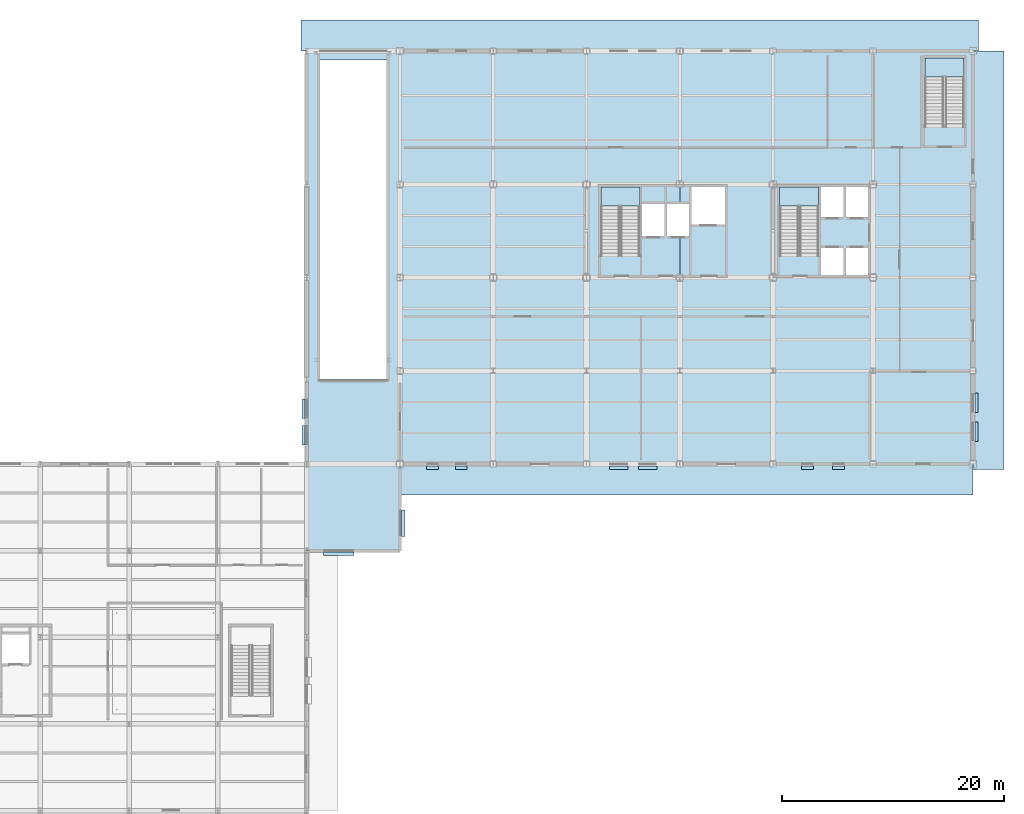
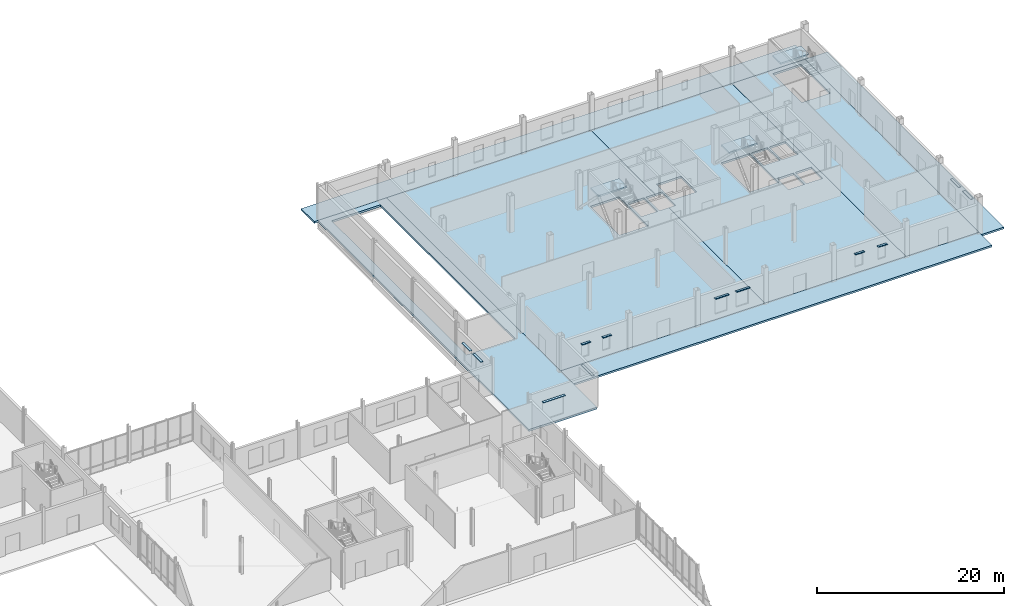
# One storey, part 49 of 82: 12 plates, 10 slabs, 3 elements without a shape of their own.
"""IFC4 building model written with IfcOpenShell, lengths in metres."""

from ifc_helpers import new_model, si_unit, direction, frame, origin, origin_2d, place, context, subcontext, project, spatial, polyline, rectangle, outline, extrude, material, layer, layer_set, type_object, element, aggregate, save


model = new_model("IFC4")

# Units and contexts
model_context = context("Model", 3, precision=1e-05, world=origin(), true_north=direction((0.0, 1.0)))
body_context = subcontext(model_context, "Body", "Model", "MODEL_VIEW")
ifc_project = project(units=[si_unit("LENGTHUNIT", "METRE"), si_unit("AREAUNIT", "SQUARE_METRE"), si_unit("VOLUMEUNIT", "CUBIC_METRE"), si_unit("PLANEANGLEUNIT", "RADIAN"), si_unit("MASSUNIT", "GRAM", prefix="KILO")], contexts=[model_context])

# Site, building, storey
site_placement = place(None, origin())
site = spatial("IfcSite", under=ifc_project, at=site_placement, CompositionType="ELEMENT")
building_placement = place(site_placement, origin())
building = spatial("IfcBuilding", under=site, at=building_placement, Name="Yukiwa Park Conservatory and Herbarium", CompositionType="ELEMENT")
storey_placement = place(building_placement, origin())
storey = spatial("IfcBuildingStorey", under=building, at=storey_placement, Name="L00", CompositionType="ELEMENT", Elevation=0.0)

# Plates
ifc_material_1 = material(Name="Anodised Aluminium", Category="aluminium")
ifc_layer_1 = layer(ifc_material_1, 0.0400390625)
ifc_layer_set_1 = layer_set([ifc_layer_1], Name="Anodised Aluminium")
plate_type = type_object("IfcPlateType", Name="PL-SHADE-ALU-40", PredefinedType="SHEET", material=ifc_layer_set_1)
plate_1_placement = place(storey_placement, frame((110.89990234375, 69.9150390625, 3.18994140625), z_axis=(0.0, 0.0, 1.0), x_axis=(1.0, 0.0, 0.0)))
element("IfcPlate", 1, at=plate_1_placement, inside=storey, type_object=plate_type, Name="L00 snow-shedding window hood 3", PredefinedType="SHEET", context=body_context, shape_type="SweptSolid", body=[
    extrude(rectangle(XDim=2.760009765625, YDim=0.300048828125, at=origin_2d()), origin(), (0.0, 0.0, 1.0), 0.0400390625),
])
plate_2_placement = place(storey_placement, frame((116.68505859375, 72.68310546875, 3.18994140625), z_axis=(0.0, 0.0, 1.0), x_axis=(0.0, 1.0, 0.0)))
element("IfcPlate", 2, at=plate_2_placement, inside=storey, type_object=plate_type, Name="L00 snow-shedding window hood 4", PredefinedType="SHEET", context=body_context, shape_type="SweptSolid", body=[
    extrude(rectangle(XDim=2.360107421875, YDim=0.300048828125, at=origin_2d()), origin(), (0.0, 0.0, 1.0), 0.0400390625),
])
for number, where, z_axis, x_axis, name in (
    (3, (119.3330078125, 77.679931640625, 2.7900390625), (0.0, 0.0, 1.0), (1.0, 0.0, 0.0), "L00 snow-shedding window hood 5"),
    (4, (121.9169921875, 77.679931640625, 2.7900390625), (0.0, 0.0, 1.0), (1.0, 0.0, 0.0), "L00 snow-shedding window hood 6"),
):
    element("IfcPlate", number, at=place(storey_placement, frame(where, z_axis=z_axis, x_axis=x_axis)), inside=storey, type_object=plate_type, Name=name, PredefinedType="SHEET", context=body_context, shape_type="SweptSolid", body=[
        extrude(rectangle(XDim=1.06005859375, YDim=0.300048828125, at=origin_2d()), origin(), (0.0, 0.0, 1.0), 0.0400390625),
    ])
for number, where, z_axis, x_axis, name in (
    (5, (136.10009765625, 77.679931640625, 2.989990234375), (0.0, 0.0, 1.0), (1.0, 0.0, 0.0), "L00 snow-shedding window hood 7"),
    (6, (138.699951171875, 77.679931640625, 2.989990234375), (0.0, 0.0, 1.0), (1.0, 0.0, 0.0), "L00 snow-shedding window hood 8"),
):
    element("IfcPlate", number, at=place(storey_placement, frame(where, z_axis=z_axis, x_axis=x_axis)), inside=storey, type_object=plate_type, Name=name, PredefinedType="SHEET", context=body_context, shape_type="SweptSolid", body=[
        extrude(rectangle(XDim=1.659912109375, YDim=0.300048828125, at=origin_2d()), origin(), (0.0, 0.0, 1.0), 0.0400390625),
    ])
for number, where, z_axis, x_axis, name in (
    (7, (153.10009765625, 77.679931640625, 2.739990234375), (0.0, 0.0, 1.0), (1.0, 0.0, 0.0), "L00 snow-shedding window hood 9"),
    (8, (155.89990234375, 77.679931640625, 2.739990234375), (0.0, 0.0, 1.0), (1.0, 0.0, 0.0), "L00 snow-shedding window hood 10"),
):
    element("IfcPlate", number, at=place(storey_placement, frame(where, z_axis=z_axis, x_axis=x_axis)), inside=storey, type_object=plate_type, Name=name, PredefinedType="SHEET", context=body_context, shape_type="SweptSolid", body=[
        extrude(rectangle(XDim=1.110107421875, YDim=0.300048828125, at=origin_2d()), origin(), (0.0, 0.0, 1.0), 0.0400390625),
    ])
for number, where, z_axis, x_axis, name in (
    (9, (168.320068359375, 80.93310546875, 2.93994140625), (0.0, 0.0, 1.0), (0.0, 1.0, 0.0), "L00 snow-shedding window hood 11"),
    (10, (168.320068359375, 83.51708984375, 2.93994140625), (0.0, 0.0, 1.0), (0.0, 1.0, 0.0), "L00 snow-shedding window hood 12"),
    (11, (107.715087890625, 82.97705078125, 3.139892578125), (0.0, 0.0, 1.0), (0.0, -1.0, 0.0), "L00 snow-shedding window hood 13"),
    (12, (107.715087890625, 80.59912109375, 3.139892578125), (0.0, 0.0, 1.0), (0.0, -1.0, 0.0), "L00 snow-shedding window hood 14"),
):
    element("IfcPlate", number, at=place(storey_placement, frame(where, z_axis=z_axis, x_axis=x_axis)), inside=storey, type_object=plate_type, Name=name, PredefinedType="SHEET", context=body_context, shape_type="SweptSolid", body=[
        extrude(rectangle(XDim=1.760009765625, YDim=0.300048828125, at=origin_2d()), origin(), (0.0, 0.0, 1.0), 0.0400390625),
    ])

# Slabs
ifc_material_2 = material(Name="Concrete C35", Category="concrete")
ifc_layer_2 = layer(ifc_material_2, 0.239990234375)
ifc_layer_set_2 = layer_set([ifc_layer_2], Name="Concrete C35")
slab_type_1 = type_object("IfcSlabType", Name="SL-APRON-240", PredefinedType="FLOOR", material=ifc_layer_set_2)
slab_1_placement = place(storey_placement, frame((0.0, 0.0, -0.239990234375)))
element("IfcSlab", 13, at=slab_1_placement, inside=storey, type_object=slab_type_1, Name="North street service and fire apron", PredefinedType="FLOOR", context=body_context, shape_type="SweptSolid", body=[
    extrude(outline(polyline([(107.5, 115.199951171875), (168.5, 115.199951171875), (168.5, 118.0), (107.5, 118.0), (107.5, 115.199951171875)])), origin(), (0.0, 0.0, 1.0), 0.239990234375),
])
slab_2_placement = place(storey_placement, frame((0.0, 0.0, -0.239990234375)))
element("IfcSlab", 14, at=slab_2_placement, inside=storey, type_object=slab_type_1, Name="East street arrival forecourt apron", PredefinedType="FLOOR", context=body_context, shape_type="SweptSolid", body=[
    extrude(outline(polyline([(168.0, 77.5), (170.800048828125, 77.5), (170.800048828125, 115.199951171875), (168.0, 115.199951171875), (168.0, 77.5)])), origin(), (0.0, 0.0, 1.0), 0.239990234375),
])
slab_3_placement = place(storey_placement, frame((0.0, 0.0, -0.239990234375)))
element("IfcSlab", 15, at=slab_3_placement, inside=storey, type_object=slab_type_1, Name="Tower south forecourt terrace apron", PredefinedType="FLOOR", context=body_context, shape_type="SweptSolid", body=[
    extrude(outline(polyline([(116.39990234375, 75.199951171875), (168.0, 75.199951171875), (168.0, 78.0), (116.39990234375, 78.0), (116.39990234375, 75.199951171875)])), origin(), (0.0, 0.0, 1.0), 0.239990234375),
])
ifc_material_3 = material(Name="Concrete C40", Category="concrete")
ifc_layer_3 = layer(ifc_material_3, 0.260009765625)
ifc_layer_set_3 = layer_set([ifc_layer_3], Name="Concrete C40")
slab_type_2 = type_object("IfcSlabType", Name="SL-FLR-260", PredefinedType="FLOOR", material=ifc_layer_set_3)
slab_4_placement = place(storey_placement, frame((0.0, 0.0, -0.260009765625)))
element("IfcSlab", 16, at=slab_4_placement, inside=storey, type_object=slab_type_2, Name="L00 composite structural floor slab LNKVT", PredefinedType="FLOOR", context=body_context, shape_type="SweptSolid", body=[
    extrude(outline(polyline([(108.0, 70.199951171875), (108.0, 115.199951171875), (116.39990234375, 115.199951171875), (116.39990234375, 70.199951171875), (108.0, 70.199951171875)]), holes=[polyline([(115.199951171875, 85.60009765625), (115.199951171875, 114.39990234375), (109.199951171875, 114.39990234375), (109.199951171875, 85.60009765625), (115.199951171875, 85.60009765625)])]), origin(), (0.0, 0.0, 1.0), 0.260009765625),
])
slab_5_placement = place(storey_placement, frame((0.0, 0.0, -0.260009765625)))
element("IfcSlab", 17, at=slab_5_placement, inside=storey, type_object=slab_type_2, Name="L00 composite structural floor slab V5W", PredefinedType="FLOOR", context=body_context, shape_type="SweptSolid", body=[
    extrude(outline(polyline([(141.60009765625, 78.0), (116.39990234375, 78.0), (116.39990234375, 115.199951171875), (141.60009765625, 115.199951171875), (141.60009765625, 101.43994140625), (140.43994140625, 101.43994140625), (140.43994140625, 98.5400390625), (141.60009765625, 98.5400390625), (141.60009765625, 78.0)]), holes=[polyline([(138.0, 96.72998046875), (138.0, 102.949951171875), (134.489990234375, 102.949951171875), (134.489990234375, 96.72998046875), (138.0, 96.72998046875)]), polyline([(140.219970703125, 101.43994140625), (138.219970703125, 101.43994140625), (138.219970703125, 98.5400390625), (140.219970703125, 98.5400390625), (140.219970703125, 101.43994140625)])]), origin(), (0.0, 0.0, 1.0), 0.260009765625),
])
slab_6_placement = place(storey_placement, frame((0.0, 0.0, -0.260009765625)))
element("IfcSlab", 18, at=slab_6_placement, inside=storey, type_object=slab_type_2, Name="L00 composite structural floor slab V5C", PredefinedType="FLOOR", context=body_context, shape_type="SweptSolid", body=[
    extrude(outline(polyline([(141.60009765625, 115.199951171875), (159.0, 115.199951171875), (159.0, 78.0), (141.60009765625, 78.0), (141.60009765625, 98.5400390625), (142.43994140625, 98.5400390625), (142.43994140625, 101.43994140625), (141.60009765625, 101.43994140625), (141.60009765625, 115.199951171875)]), holes=[polyline([(156.330078125, 97.449951171875), (154.330078125, 97.449951171875), (154.330078125, 95.050048828125), (156.330078125, 95.050048828125), (156.330078125, 97.449951171875)]), polyline([(158.550048828125, 97.449951171875), (156.550048828125, 97.449951171875), (156.550048828125, 95.050048828125), (158.550048828125, 95.050048828125), (158.550048828125, 97.449951171875)]), polyline([(154.110107421875, 102.949951171875), (150.60009765625, 102.949951171875), (150.60009765625, 96.72998046875), (154.110107421875, 96.72998046875), (154.110107421875, 102.949951171875)]), polyline([(145.659912109375, 102.949951171875), (142.659912109375, 102.949951171875), (142.659912109375, 99.60009765625), (145.659912109375, 99.60009765625), (145.659912109375, 102.949951171875)]), polyline([(156.330078125, 102.949951171875), (154.330078125, 102.949951171875), (154.330078125, 100.25), (156.330078125, 100.25), (156.330078125, 102.949951171875)]), polyline([(158.550048828125, 100.25), (158.550048828125, 102.949951171875), (156.550048828125, 102.949951171875), (156.550048828125, 100.25), (158.550048828125, 100.25)])]), origin(), (0.0, 0.0, 1.0), 0.260009765625),
])
slab_7_placement = place(storey_placement, frame((0.0, 0.0, -0.260009765625)))
element("IfcSlab", 19, at=slab_7_placement, inside=storey, type_object=slab_type_2, Name="L00 composite structural floor slab V5E", PredefinedType="FLOOR", context=body_context, shape_type="SweptSolid", body=[
    extrude(outline(polyline([(159.0, 78.0), (159.0, 115.199951171875), (168.0, 115.199951171875), (168.0, 78.0), (159.0, 78.0)]), holes=[polyline([(167.199951171875, 108.3798828125), (167.199951171875, 114.60009765625), (163.68994140625, 114.60009765625), (163.68994140625, 108.3798828125), (167.199951171875, 108.3798828125)])]), origin(), (0.0, 0.0, 1.0), 0.260009765625),
])

# Stair, slab
ifc_material_4 = material(Name="Concrete C40", Category="concrete")
stair_type_1 = type_object("IfcStairType", Name="ST-DOGLEG-ST-T1", PredefinedType="HALF_TURN_STAIR", material=ifc_material_4)
stair_1_placement = place(storey_placement, origin())
stair_1 = element("IfcStair", 20, at=stair_1_placement, inside=storey, type_object=stair_type_1, Name="L00 Protected Smoke-Proof Stair ST-T1", PredefinedType="HALF_TURN_STAIR")
ifc_material_5 = material(Name="Concrete C40", Category="concrete")
ifc_layer_4 = layer(ifc_material_5, 0.199951171875)
ifc_layer_set_4 = layer_set([ifc_layer_4], Name="Concrete C40")
slab_type_3 = type_object("IfcSlabType", Name="SL-LANDING-220", PredefinedType="LANDING", material=ifc_layer_set_4)
slab_8_placement = place(storey_placement, frame((0.0, 0.0, 2.199951171875)))
slab_8 = element("IfcSlab", 21, at=slab_8_placement, type_object=slab_type_3, Name="ST-T1 landing 1", PredefinedType="LANDING", context=body_context, shape_type="SweptSolid", body=[
    extrude(outline(polyline([(138.0, 101.22998046875), (138.0, 102.949951171875), (134.489990234375, 102.949951171875), (134.489990234375, 101.22998046875), (138.0, 101.22998046875)])), origin(), (0.0, 0.0, 1.0), 0.199951171875),
])
aggregate(stair_1, [slab_8])

ifc_material_6 = material(Name="Concrete C40", Category="concrete")
stair_type_2 = type_object("IfcStairType", Name="ST-DOGLEG-ST-T2", PredefinedType="HALF_TURN_STAIR", material=ifc_material_6)
stair_2_placement = place(storey_placement, origin())
stair_2 = element("IfcStair", 22, at=stair_2_placement, inside=storey, type_object=stair_type_2, Name="L00 Protected Smoke-Proof Stair ST-T2", PredefinedType="HALF_TURN_STAIR")
slab_9_placement = place(storey_placement, frame((0.0, 0.0, 2.199951171875)))
slab_9 = element("IfcSlab", 23, at=slab_9_placement, type_object=slab_type_3, Name="ST-T2 landing 1", PredefinedType="LANDING", context=body_context, shape_type="SweptSolid", body=[
    extrude(outline(polyline([(154.110107421875, 101.22998046875), (154.110107421875, 102.949951171875), (150.60009765625, 102.949951171875), (150.60009765625, 101.22998046875), (154.110107421875, 101.22998046875)])), origin(), (0.0, 0.0, 1.0), 0.199951171875),
])
aggregate(stair_2, [slab_9])

ifc_material_7 = material(Name="Concrete C40", Category="concrete")
stair_type_3 = type_object("IfcStairType", Name="ST-DOGLEG-ST-T3", PredefinedType="HALF_TURN_STAIR", material=ifc_material_7)
stair_3_placement = place(storey_placement, origin())
stair_3 = element("IfcStair", 24, at=stair_3_placement, inside=storey, type_object=stair_type_3, Name="L00 Protected Smoke-Proof Stair ST-T3", PredefinedType="HALF_TURN_STAIR")
slab_10_placement = place(storey_placement, frame((0.0, 0.0, 2.199951171875)))
slab_10 = element("IfcSlab", 25, at=slab_10_placement, type_object=slab_type_3, Name="ST-T3 landing 1", PredefinedType="LANDING", context=body_context, shape_type="SweptSolid", body=[
    extrude(outline(polyline([(167.199951171875, 112.8798828125), (167.199951171875, 114.60009765625), (163.68994140625, 114.60009765625), (163.68994140625, 112.8798828125), (167.199951171875, 112.8798828125)])), origin(), (0.0, 0.0, 1.0), 0.199951171875),
])
aggregate(stair_3, [slab_10])

save(model, "model.ifc")
